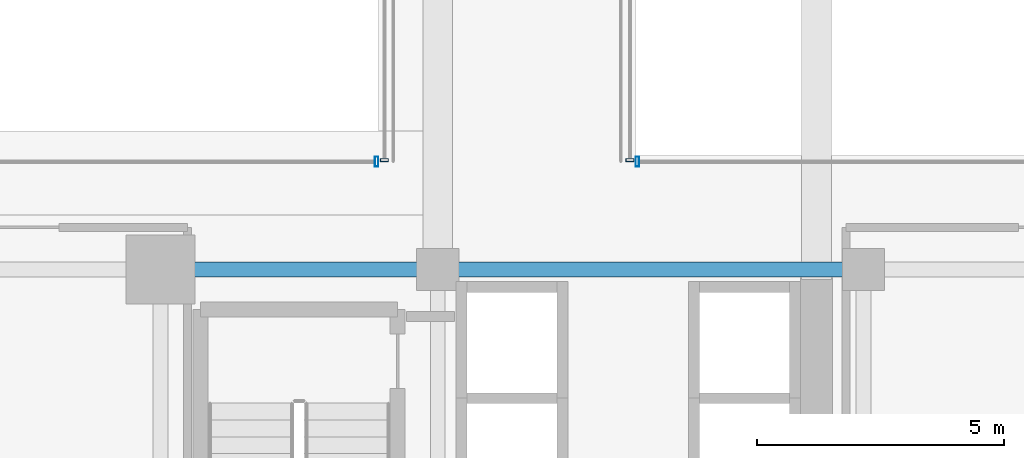
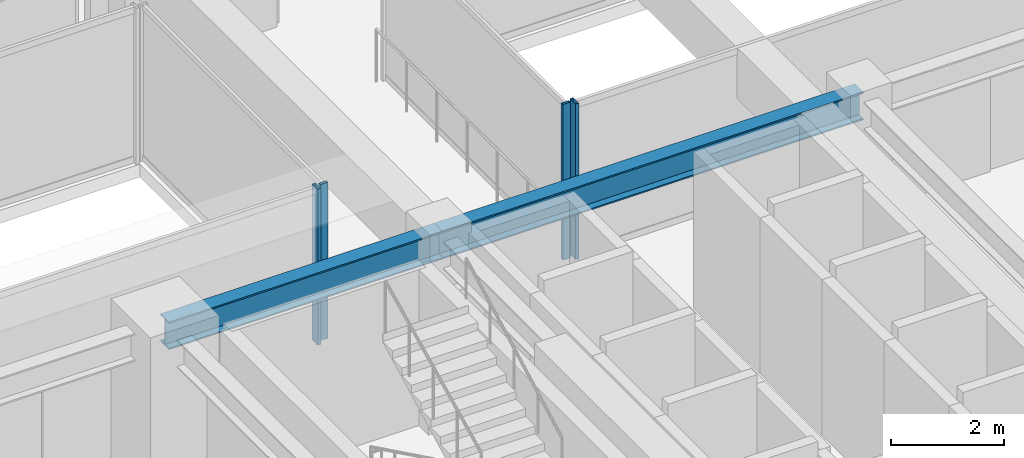
# One storey, part 15 of 43: 4 members, 2 beams, 4 elements without a shape of their own.
"""IFC4 building model written with IfcOpenShell, lengths in metres."""

import ifcopenshell
import ifcopenshell.guid

model = None  # the IFC model being written
_history = None  # IfcOwnerHistory: only IFC2X3 demands one
_inside = {}  # id of a spatial element -> (the spatial element, [elements in it])
_under = {}  # id of a project, library or spatial element -> (it, [spatial elements below it])
_declared = {}  # id of a project -> (the project, [libraries it declares])
_typed = {}  # id of a type object -> (the type object, [elements of that type])
_made_of = {}  # id of a material, layer set ... -> (it, [elements and type objects made of it])


def new_model(schema):
    """Start an empty IFC model of exactly this schema.

    Asked for "IFC4X3", IfcOpenShell would pick the latest addendum, in which some entities
    have other attributes; the version numbers below select the first issue.
    IFC2X3 requires an IfcOwnerHistory on every rooted entity: one is made here for all.
    """
    global model, _history
    if schema == "IFC4X3":
        model = ifcopenshell.file(schema_version=(4, 3, 0, 0))
    else:
        model = ifcopenshell.file(schema=schema)
    _inside.clear()
    _under.clear()
    _declared.clear()
    _typed.clear()
    _made_of.clear()
    _history = None
    if model.schema == "IFC2X3":
        org = make("IfcOrganization", Name="unknown")
        user = make(
            "IfcPersonAndOrganization",
            ThePerson=make("IfcPerson", FamilyName="unknown"),
            TheOrganization=org,
        )
        app = make(
            "IfcApplication",
            ApplicationDeveloper=org,
            Version="unknown",
            ApplicationFullName="unknown",
            ApplicationIdentifier="unknown",
        )
        _history = make(
            "IfcOwnerHistory",
            OwningUser=user,
            OwningApplication=app,
            ChangeAction="ADDED",
            CreationDate=0,
        )
    return model


def make(cls, **values):
    """One entity of the class cls with the attributes given. An attribute that is None is left unset."""
    return model.create_entity(
        cls, **{name: value for name, value in values.items() if value is not None}
    )


def rooted(cls, **values):
    """An entity with a GlobalId (a new one), such as an element, a storey or a relation."""
    return make(cls, GlobalId=ifcopenshell.guid.new(), OwnerHistory=_history, **values)


def si_unit(unit_type, name, prefix=None):
    """IfcSIUnit, for example si_unit("LENGTHUNIT", "METRE", prefix="MILLI")."""
    return make("IfcSIUnit", UnitType=unit_type, Prefix=prefix, Name=name)


def assignment(units):
    """IfcUnitAssignment: the units of a project."""
    return None if units is None else make("IfcUnitAssignment", Units=units)


def point(xyz):
    """IfcCartesianPoint."""
    return None if xyz is None else make("IfcCartesianPoint", Coordinates=xyz)


def direction(xyz):
    """IfcDirection."""
    return None if xyz is None else make("IfcDirection", DirectionRatios=xyz)


def frame(location, z_axis=None, x_axis=None):
    """IfcAxis2Placement3D, a coordinate frame: its origin and axes. An axis left out is left unset."""
    return make(
        "IfcAxis2Placement3D",
        Location=point(location),
        Axis=direction(z_axis),
        RefDirection=direction(x_axis),
    )


def frame_2d(location, x_axis=None):
    """IfcAxis2Placement2D, a coordinate frame in the plane: its origin and x axis."""
    return make(
        "IfcAxis2Placement2D", Location=point(location), RefDirection=direction(x_axis)
    )


def origin():
    """The frame at (0, 0, 0) with its axes left unset."""
    return frame((0.0, 0.0, 0.0))


def origin_2d():
    """The frame at (0, 0) in the plane with its x axis left unset."""
    return frame_2d((0.0, 0.0))


def place(relative_to, where):
    """IfcLocalPlacement: puts the frame where relative to a parent placement (None: the world)."""
    return make(
        "IfcLocalPlacement", PlacementRelTo=relative_to, RelativePlacement=where
    )


def context(
    kind, dimensions, precision=None, world=None, true_north=None, identifier=None
):
    """IfcGeometricRepresentationContext, for example the 3D "Model" context."""
    return make(
        "IfcGeometricRepresentationContext",
        ContextIdentifier=identifier,
        ContextType=kind,
        CoordinateSpaceDimension=dimensions,
        Precision=precision,
        WorldCoordinateSystem=world,
        TrueNorth=true_north,
    )


def subcontext(parent, identifier, kind, view, scale=None):
    """IfcGeometricRepresentationSubContext, for example "Body" below "Model"."""
    return make(
        "IfcGeometricRepresentationSubContext",
        ContextIdentifier=identifier,
        ContextType=kind,
        ParentContext=parent,
        TargetScale=scale,
        TargetView=view,
    )


def project(units=None, contexts=None):
    """IfcProject with its units and contexts."""
    return rooted(
        "IfcProject",
        Name="project",
        RepresentationContexts=contexts,
        UnitsInContext=assignment(units),
    )


def spatial(cls, under=None, at=None, **own):
    """A site, building, storey or space (cls), placed at a placement, below another one or the project."""
    s = rooted(cls, ObjectPlacement=at, **own)
    if under is not None:
        _under.setdefault(under.id(), (under, []))[1].append(s)
    return s


def profile(cls, at=None, kind="AREA", **sizes):
    """A parametric profile (cls). Its sizes go by their IFC names, for example OverallWidth=200.0."""
    return make(cls, ProfileType=kind, Position=at, **sizes)


def hollow_rectangle(**sizes):
    """IfcRectangleHollowProfileDef."""
    return profile("IfcRectangleHollowProfileDef", **sizes)


def i_section(**sizes):
    """IfcIShapeProfileDef."""
    return profile("IfcIShapeProfileDef", **sizes)


def extrude(swept, where, along, depth):
    """IfcExtrudedAreaSolid: the profile swept, set in the frame where, extruded along a direction by depth."""
    return make(
        "IfcExtrudedAreaSolid",
        SweptArea=swept,
        Position=where,
        ExtrudedDirection=direction(along),
        Depth=depth,
    )


def shape(context_of_items, identifier, shape_type, items):
    """IfcShapeRepresentation: the items that make up one representation, for example the "Body"."""
    return make(
        "IfcShapeRepresentation",
        ContextOfItems=context_of_items,
        RepresentationIdentifier=identifier,
        RepresentationType=shape_type,
        Items=items,
    )


def source(mapping_origin, context_of_items, identifier, shape_type, items):
    """IfcRepresentationMap: a shape defined once, which mapped items show again and again."""
    return make(
        "IfcRepresentationMap",
        MappingOrigin=mapping_origin,
        MappedRepresentation=shape(context_of_items, identifier, shape_type, items),
    )


def transform(
    local_origin,
    x_axis=None,
    y_axis=None,
    z_axis=None,
    scale=None,
    scale2=None,
    scale3=None,
    uniform=True,
):
    """IfcCartesianTransformationOperator3D, or its non-uniform kind. x_axis, y_axis, z_axis: its Axis1, 2, 3."""
    if uniform:
        return make(
            "IfcCartesianTransformationOperator3D",
            Axis1=direction(x_axis),
            Axis2=direction(y_axis),
            LocalOrigin=point(local_origin),
            Scale=scale,
            Axis3=direction(z_axis),
        )
    return make(
        "IfcCartesianTransformationOperator3DnonUniform",
        Axis1=direction(x_axis),
        Axis2=direction(y_axis),
        LocalOrigin=point(local_origin),
        Scale=scale,
        Axis3=direction(z_axis),
        Scale2=scale2,
        Scale3=scale3,
    )


def mapped(mapping_source, mapping_target):
    """IfcMappedItem: shows the shape of a source again, moved by a transform."""
    return make(
        "IfcMappedItem", MappingSource=mapping_source, MappingTarget=mapping_target
    )


def material(Name=None, Category=None):
    """IfcMaterial."""
    return make("IfcMaterial", Name=Name, Category=Category)


def material_profile(
    of_material, cross_section, Name=None, Category=None, Priority=None
):
    """IfcMaterialProfile: a cross section and its material."""
    return make(
        "IfcMaterialProfile",
        Name=Name,
        Material=of_material,
        Profile=cross_section,
        Priority=Priority,
        Category=Category,
    )


def profile_set(profiles, Name=None, composite=None):
    """IfcMaterialProfileSet."""
    return make(
        "IfcMaterialProfileSet",
        Name=Name,
        MaterialProfiles=profiles,
        CompositeProfile=composite,
    )


def made_of(thing, what):
    """Note that an element or type object is made of a material, layer set ...; save() writes the relation."""
    if what is not None:
        _made_of.setdefault(what.id(), (what, []))[1].append(thing)
    return thing


def type_object(cls, material=None, **own):
    """A type object (cls), such as IfcWallType, which elements share."""
    return made_of(rooted(cls, **own), material)


def element(
    cls,
    number,
    at=None,
    inside=None,
    cuts=None,
    type_object=None,
    material=None,
    context=None,
    identifier="Body",
    shape_type=None,
    held_by="IfcProductDefinitionShape",
    body=None,
    shapes=None,
    **own,
):
    """One element of the class cls, such as IfcWall. Its Tag is "e" and its number.

    at: its placement. inside: the storey or other place that contains it. cuts: it is an
    opening in that element (IfcRelVoidsElement). A single representation is given by context,
    identifier, shape_type and body (its items); several are given by shapes. held_by: the class
    of the entity that holds the representations. save() writes the other relations.
    """
    e = rooted(cls, Tag="e%d" % number, ObjectPlacement=at, **own)
    if body is not None:
        shapes = [shape(context, identifier, shape_type, body)]
    if shapes is not None:
        e.Representation = make(held_by, Representations=shapes)
    if inside is not None:
        _inside.setdefault(inside.id(), (inside, []))[1].append(e)
    if cuts is not None:
        rooted(
            "IfcRelVoidsElement", RelatingBuildingElement=cuts, RelatedOpeningElement=e
        )
    if type_object is not None:
        _typed.setdefault(type_object.id(), (type_object, []))[1].append(e)
    return made_of(e, material)


def aggregate(whole, parts):
    """IfcRelAggregates: a whole, such as a stair, and the parts it consists of."""
    return rooted("IfcRelAggregates", RelatingObject=whole, RelatedObjects=parts)


def save(model, path):
    """Write the relations noted so far, then the file.

    IfcRelAggregates (storeys below a building ...), IfcRelContainedInSpatialStructure (elements
    in a storey), IfcRelDefinesByType, IfcRelAssociatesMaterial and IfcRelDeclares: one each for
    every whole, place, type object, material and project.
    """
    for whole, parts in _under.values():
        aggregate(whole, parts)
    for where, things in _inside.values():
        rooted(
            "IfcRelContainedInSpatialStructure",
            RelatedElements=things,
            RelatingStructure=where,
        )
    for kind, things in _typed.values():
        rooted("IfcRelDefinesByType", RelatedObjects=things, RelatingType=kind)
    for what, things in _made_of.values():
        rooted("IfcRelAssociatesMaterial", RelatedObjects=things, RelatingMaterial=what)
    for by, libraries in _declared.values():
        rooted("IfcRelDeclares", RelatingContext=by, RelatedDefinitions=libraries)
    model.write(path)


model = new_model("IFC4")

# Units and contexts
model_context = context("Model", 3, precision=1e-05, world=origin(), true_north=direction((0.0, 1.0)))
body_context = subcontext(model_context, "Body", "Model", "MODEL_VIEW")
ifc_project = project(units=[si_unit("LENGTHUNIT", "METRE"), si_unit("AREAUNIT", "SQUARE_METRE"), si_unit("VOLUMEUNIT", "CUBIC_METRE"), si_unit("PLANEANGLEUNIT", "RADIAN"), si_unit("MASSUNIT", "GRAM", prefix="KILO")], contexts=[model_context])

# Site, building, storey
site_placement = place(None, origin())
site = spatial("IfcSite", under=ifc_project, at=site_placement, CompositionType="ELEMENT")
building_placement = place(site_placement, origin())
building = spatial("IfcBuilding", under=site, at=building_placement, Name="Nahalor Promenade Grand Hotel", CompositionType="ELEMENT")
storey_placement = place(building_placement, frame((0.0, 0.0, 47.0)))
storey = spatial("IfcBuildingStorey", under=building, at=storey_placement, Name="L10", CompositionType="ELEMENT", Elevation=47.0)

# Beams
ifc_material_1 = material(Name="Steel S355JR", Category="steel")
ifc_material_profile_1 = material_profile(ifc_material_1, i_section(OverallWidth=0.3, OverallDepth=0.6, WebThickness=0.0155, FlangeThickness=0.03, at=origin_2d()), Name="HEB 600")
ifc_profile_set_1 = profile_set([ifc_material_profile_1], Name="Steel S355JR")
beam_type = type_object("IfcBeamType", Name="Beam-Girder-HEB600", PredefinedType="BEAM", material=ifc_profile_set_1)
shared_shape_1 = source(origin(), body_context, "Body", "SweptSolid", [
    extrude(i_section(OverallWidth=0.3, OverallDepth=0.6, WebThickness=0.0155, FlangeThickness=0.03, at=origin_2d()), origin(), (0.0, 0.0, 1.0), 8.60009765625),
])
beam_1_placement = place(storey_placement, frame((8.39990234375, -5.39990234375, 3.070068359375), z_axis=(1.0, 0.0, 0.0), x_axis=(0.0, 1.0, 0.0)))
element("IfcBeam", 1, at=beam_1_placement, inside=storey, type_object=beam_type, Name="BM-L10-GX-1-5", PredefinedType="BEAM", context=body_context, shape_type="MappedRepresentation", body=[
    mapped(shared_shape_1, transform((0.0, 0.0, 0.0), scale=1.0)),
])
shared_shape_2 = source(origin(), body_context, "Body", "SweptSolid", [
    extrude(i_section(OverallWidth=0.3, OverallDepth=0.6, WebThickness=0.0155, FlangeThickness=0.03, at=origin_2d()), origin(), (0.0, 0.0, 1.0), 5.599853515625),
])
beam_2_placement = place(storey_placement, frame((2.800048828125, -5.39990234375, 3.070068359375), z_axis=(1.0, 0.0, 0.0), x_axis=(0.0, 1.0, 0.0)))
element("IfcBeam", 2, at=beam_2_placement, inside=storey, type_object=beam_type, Name="BM-L10-GX-1-4", PredefinedType="BEAM", context=body_context, shape_type="MappedRepresentation", body=[
    mapped(shared_shape_2, transform((0.0, 0.0, 0.0), scale=1.0)),
])

# Curtain wall, member
ifc_material_2 = material(Name="Anodised Bronze Aluminium EN AW-6063 T6", Category="aluminium")
curtain_wall_type_1 = type_object("IfcCurtainWallType", Name="CW3 Elliptical-Void Collar Unitised Curtain Wall", PredefinedType="USERDEFINED", material=ifc_material_2)
curtain_wall_1_placement = place(storey_placement, origin())
curtain_wall_1 = element("IfcCurtainWall", 3, at=curtain_wall_1_placement, inside=storey, type_object=curtain_wall_type_1, Name="L10 Curtain Wall CW-L10-VOID-WS1", ObjectType="UNITISED_CURTAIN_WALL", PredefinedType="USERDEFINED")
ifc_material_profile_2 = material_profile(ifc_material_2, hollow_rectangle(XDim=0.07, YDim=0.2, WallThickness=0.005, at=origin_2d()), Name="CWM 70x200x5")
ifc_profile_set_2 = profile_set([ifc_material_profile_2], Name="Anodised Bronze Aluminium EN AW-6063 T6")
member_type_1 = type_object("IfcMemberType", Name="CWM3 Void Collar Mullion 70x200", PredefinedType="MULLION", material=ifc_profile_set_2)
shared_shape_3 = source(origin(), body_context, "Body", "SweptSolid", [
    extrude(hollow_rectangle(XDim=0.07, YDim=0.2, WallThickness=0.005, at=origin_2d()), origin(), (0.0, 0.0, 1.0), 3.3701171875),
])
member_1_placement = place(storey_placement, frame((7.1650390625, -3.219970703125, 0.0), z_axis=(0.0, 0.0, 1.0), x_axis=(1.0, 0.0, 0.0)))
member_1 = element("IfcMember", 4, at=member_1_placement, type_object=member_type_1, Name="CW-L10-VOID-WS1 Mullion 3", PredefinedType="MULLION", context=body_context, shape_type="MappedRepresentation", body=[
    mapped(shared_shape_3, transform((0.0, 0.0, 0.0), scale=1.0)),
])
aggregate(curtain_wall_1, [member_1])

curtain_wall_2_placement = place(storey_placement, origin())
curtain_wall_2 = element("IfcCurtainWall", 5, at=curtain_wall_2_placement, inside=storey, type_object=curtain_wall_type_1, Name="L10 Curtain Wall CW-L10-VOID-ES1", ObjectType="UNITISED_CURTAIN_WALL", PredefinedType="USERDEFINED")
member_2_placement = place(storey_placement, frame((12.43505859375, -3.219970703125, 0.0), z_axis=(0.0, 0.0, 1.0), x_axis=(1.0, 0.0, 0.0)))
member_2 = element("IfcMember", 6, at=member_2_placement, type_object=member_type_1, Name="CW-L10-VOID-ES1 Mullion 0", PredefinedType="MULLION", context=body_context, shape_type="MappedRepresentation", body=[
    mapped(shared_shape_3, transform((0.0, 0.0, 0.0), scale=1.0)),
])
aggregate(curtain_wall_2, [member_2])

curtain_wall_type_2 = type_object("IfcCurtainWallType", Name="CW4 Low-Iron Sky-Gallery Bridge Curtain Wall", PredefinedType="USERDEFINED", material=ifc_material_2)
curtain_wall_3_placement = place(storey_placement, origin())
curtain_wall_3 = element("IfcCurtainWall", 7, at=curtain_wall_3_placement, inside=storey, type_object=curtain_wall_type_2, Name="L10 Curtain Wall CW-L10-BRG-W", ObjectType="UNITISED_CURTAIN_WALL", PredefinedType="USERDEFINED")
ifc_material_profile_3 = material_profile(ifc_material_2, hollow_rectangle(XDim=0.06, YDim=0.16, WallThickness=0.004, at=origin_2d()), Name="CWM 60x160x4")
ifc_profile_set_3 = profile_set([ifc_material_profile_3], Name="Anodised Bronze Aluminium EN AW-6063 T6")
member_type_2 = type_object("IfcMemberType", Name="CWM4 Sky-Gallery Slim Mullion 60x160", PredefinedType="MULLION", material=ifc_profile_set_3)
shared_shape_4 = source(origin(), body_context, "Body", "SweptSolid", [
    extrude(hollow_rectangle(XDim=0.06, YDim=0.16, WallThickness=0.004, at=origin_2d()), origin(), (0.0, 0.0, 1.0), 3.3701171875),
])
member_3_placement = place(storey_placement, frame((7.320068359375, -3.18994140625, 0.0), z_axis=(0.0, 0.0, 1.0), x_axis=(0.0, 1.0, 0.0)))
member_3 = element("IfcMember", 8, at=member_3_placement, type_object=member_type_2, Name="CW-L10-BRG-W Mullion 0", PredefinedType="MULLION", context=body_context, shape_type="MappedRepresentation", body=[
    mapped(shared_shape_4, transform((0.0, 0.0, 0.0), scale=1.0)),
])
aggregate(curtain_wall_3, [member_3])

curtain_wall_4_placement = place(storey_placement, origin())
curtain_wall_4 = element("IfcCurtainWall", 9, at=curtain_wall_4_placement, inside=storey, type_object=curtain_wall_type_2, Name="L10 Curtain Wall CW-L10-BRG-E", ObjectType="UNITISED_CURTAIN_WALL", PredefinedType="USERDEFINED")
member_4_placement = place(storey_placement, frame((12.280029296875, -3.18994140625, 0.0), z_axis=(0.0, 0.0, 1.0), x_axis=(0.0, 1.0, 0.0)))
member_4 = element("IfcMember", 10, at=member_4_placement, type_object=member_type_2, Name="CW-L10-BRG-E Mullion 0", PredefinedType="MULLION", context=body_context, shape_type="MappedRepresentation", body=[
    mapped(shared_shape_4, transform((0.0, 0.0, 0.0), scale=1.0)),
])
aggregate(curtain_wall_4, [member_4])

save(model, "model.ifc")
